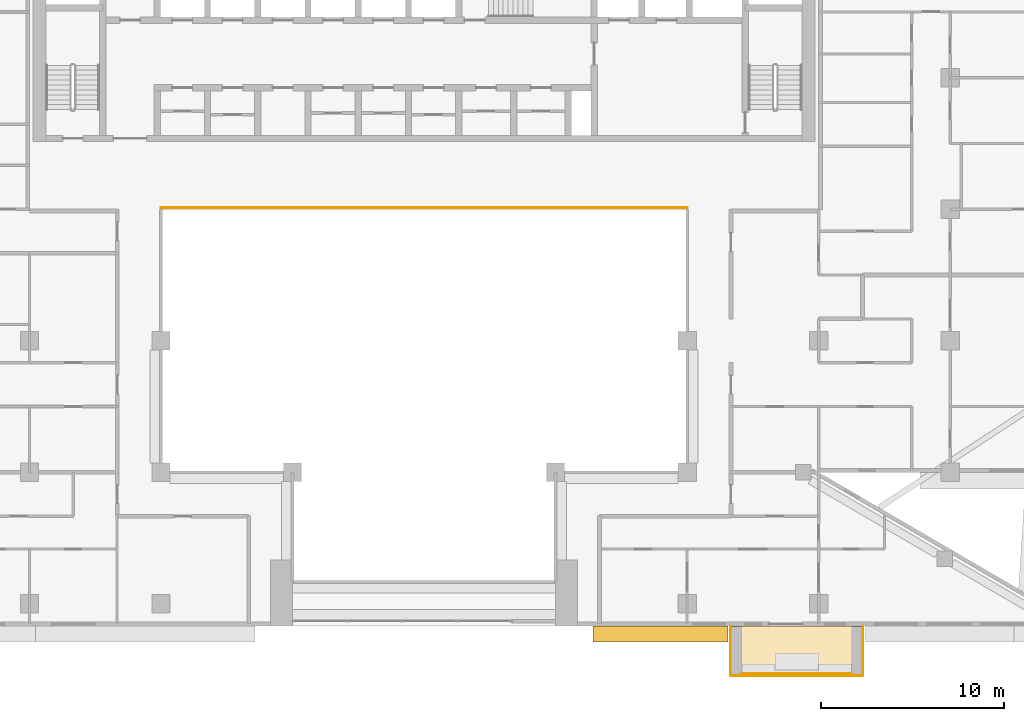
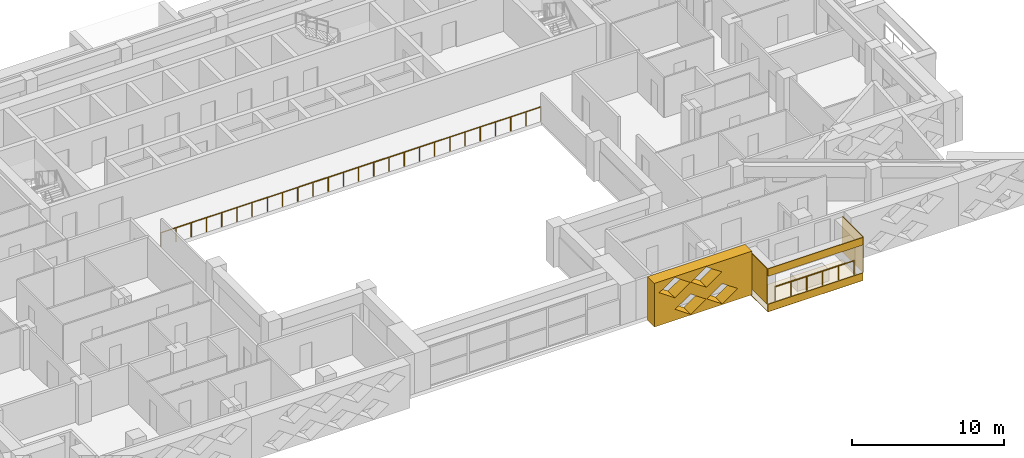
# One storey, part 16 of 20: 6 coverings, 2 railings.
"""IFC4 building model written with IfcOpenShell, lengths in metres."""

import ifcopenshell
import ifcopenshell.guid

model = None  # the IFC model being written
_history = None  # IfcOwnerHistory: only IFC2X3 demands one
_inside = {}  # id of a spatial element -> (the spatial element, [elements in it])
_under = {}  # id of a project, library or spatial element -> (it, [spatial elements below it])
_declared = {}  # id of a project -> (the project, [libraries it declares])
_typed = {}  # id of a type object -> (the type object, [elements of that type])
_made_of = {}  # id of a material, layer set ... -> (it, [elements and type objects made of it])


def new_model(schema):
    """Start an empty IFC model of exactly this schema.

    Asked for "IFC4X3", IfcOpenShell would pick the latest addendum, in which some entities
    have other attributes; the version numbers below select the first issue.
    IFC2X3 requires an IfcOwnerHistory on every rooted entity: one is made here for all.
    """
    global model, _history
    if schema == "IFC4X3":
        model = ifcopenshell.file(schema_version=(4, 3, 0, 0))
    else:
        model = ifcopenshell.file(schema=schema)
    _inside.clear()
    _under.clear()
    _declared.clear()
    _typed.clear()
    _made_of.clear()
    _history = None
    if model.schema == "IFC2X3":
        org = make("IfcOrganization", Name="unknown")
        user = make(
            "IfcPersonAndOrganization",
            ThePerson=make("IfcPerson", FamilyName="unknown"),
            TheOrganization=org,
        )
        app = make(
            "IfcApplication",
            ApplicationDeveloper=org,
            Version="unknown",
            ApplicationFullName="unknown",
            ApplicationIdentifier="unknown",
        )
        _history = make(
            "IfcOwnerHistory",
            OwningUser=user,
            OwningApplication=app,
            ChangeAction="ADDED",
            CreationDate=0,
        )
    return model


def make(cls, **values):
    """One entity of the class cls with the attributes given. An attribute that is None is left unset."""
    return model.create_entity(
        cls, **{name: value for name, value in values.items() if value is not None}
    )


def rooted(cls, **values):
    """An entity with a GlobalId (a new one), such as an element, a storey or a relation."""
    return make(cls, GlobalId=ifcopenshell.guid.new(), OwnerHistory=_history, **values)


def si_unit(unit_type, name, prefix=None):
    """IfcSIUnit, for example si_unit("LENGTHUNIT", "METRE", prefix="MILLI")."""
    return make("IfcSIUnit", UnitType=unit_type, Prefix=prefix, Name=name)


def assignment(units):
    """IfcUnitAssignment: the units of a project."""
    return None if units is None else make("IfcUnitAssignment", Units=units)


def point(xyz):
    """IfcCartesianPoint."""
    return None if xyz is None else make("IfcCartesianPoint", Coordinates=xyz)


def direction(xyz):
    """IfcDirection."""
    return None if xyz is None else make("IfcDirection", DirectionRatios=xyz)


def frame(location, z_axis=None, x_axis=None):
    """IfcAxis2Placement3D, a coordinate frame: its origin and axes. An axis left out is left unset."""
    return make(
        "IfcAxis2Placement3D",
        Location=point(location),
        Axis=direction(z_axis),
        RefDirection=direction(x_axis),
    )


def frame_2d(location, x_axis=None):
    """IfcAxis2Placement2D, a coordinate frame in the plane: its origin and x axis."""
    return make(
        "IfcAxis2Placement2D", Location=point(location), RefDirection=direction(x_axis)
    )


def origin():
    """The frame at (0, 0, 0) with its axes left unset."""
    return frame((0.0, 0.0, 0.0))


def origin_2d():
    """The frame at (0, 0) in the plane with its x axis left unset."""
    return frame_2d((0.0, 0.0))


def place(relative_to, where):
    """IfcLocalPlacement: puts the frame where relative to a parent placement (None: the world)."""
    return make(
        "IfcLocalPlacement", PlacementRelTo=relative_to, RelativePlacement=where
    )


def context(
    kind, dimensions, precision=None, world=None, true_north=None, identifier=None
):
    """IfcGeometricRepresentationContext, for example the 3D "Model" context."""
    return make(
        "IfcGeometricRepresentationContext",
        ContextIdentifier=identifier,
        ContextType=kind,
        CoordinateSpaceDimension=dimensions,
        Precision=precision,
        WorldCoordinateSystem=world,
        TrueNorth=true_north,
    )


def subcontext(parent, identifier, kind, view, scale=None):
    """IfcGeometricRepresentationSubContext, for example "Body" below "Model"."""
    return make(
        "IfcGeometricRepresentationSubContext",
        ContextIdentifier=identifier,
        ContextType=kind,
        ParentContext=parent,
        TargetScale=scale,
        TargetView=view,
    )


def project(units=None, contexts=None):
    """IfcProject with its units and contexts."""
    return rooted(
        "IfcProject",
        Name="project",
        RepresentationContexts=contexts,
        UnitsInContext=assignment(units),
    )


def spatial(cls, under=None, at=None, **own):
    """A site, building, storey or space (cls), placed at a placement, below another one or the project."""
    s = rooted(cls, ObjectPlacement=at, **own)
    if under is not None:
        _under.setdefault(under.id(), (under, []))[1].append(s)
    return s


def polyline(points):
    """IfcPolyline through the points."""
    return make("IfcPolyline", Points=[point(p) for p in points])


def profile(cls, at=None, kind="AREA", **sizes):
    """A parametric profile (cls). Its sizes go by their IFC names, for example OverallWidth=200.0."""
    return make(cls, ProfileType=kind, Position=at, **sizes)


def circle(**sizes):
    """IfcCircleProfileDef."""
    return profile("IfcCircleProfileDef", **sizes)


def outline(outer, holes=None, kind="AREA"):
    """IfcArbitraryClosedProfileDef: a profile drawn as a closed curve; with holes, ...WithVoids."""
    if holes is None:
        return make("IfcArbitraryClosedProfileDef", ProfileType=kind, OuterCurve=outer)
    return make(
        "IfcArbitraryProfileDefWithVoids",
        ProfileType=kind,
        OuterCurve=outer,
        InnerCurves=holes,
    )


def extrude(swept, where, along, depth):
    """IfcExtrudedAreaSolid: the profile swept, set in the frame where, extruded along a direction by depth."""
    return make(
        "IfcExtrudedAreaSolid",
        SweptArea=swept,
        Position=where,
        ExtrudedDirection=direction(along),
        Depth=depth,
    )


def shape(context_of_items, identifier, shape_type, items):
    """IfcShapeRepresentation: the items that make up one representation, for example the "Body"."""
    return make(
        "IfcShapeRepresentation",
        ContextOfItems=context_of_items,
        RepresentationIdentifier=identifier,
        RepresentationType=shape_type,
        Items=items,
    )


def material(Name=None, Category=None):
    """IfcMaterial."""
    return make("IfcMaterial", Name=Name, Category=Category)


def layer(
    of_material, thickness, ventilated=None, Name=None, Category=None, Priority=None
):
    """IfcMaterialLayer: one layer of a wall or slab, of a material (None: an air gap)."""
    return make(
        "IfcMaterialLayer",
        Material=of_material,
        LayerThickness=thickness,
        IsVentilated=ventilated,
        Name=Name,
        Category=Category,
        Priority=Priority,
    )


def layer_set(layers, Name=None):
    """IfcMaterialLayerSet."""
    return make("IfcMaterialLayerSet", MaterialLayers=layers, LayerSetName=Name)


def made_of(thing, what):
    """Note that an element or type object is made of a material, layer set ...; save() writes the relation."""
    if what is not None:
        _made_of.setdefault(what.id(), (what, []))[1].append(thing)
    return thing


def type_object(cls, material=None, **own):
    """A type object (cls), such as IfcWallType, which elements share."""
    return made_of(rooted(cls, **own), material)


def element(
    cls,
    number,
    at=None,
    inside=None,
    cuts=None,
    type_object=None,
    material=None,
    context=None,
    identifier="Body",
    shape_type=None,
    held_by="IfcProductDefinitionShape",
    body=None,
    shapes=None,
    **own,
):
    """One element of the class cls, such as IfcWall. Its Tag is "e" and its number.

    at: its placement. inside: the storey or other place that contains it. cuts: it is an
    opening in that element (IfcRelVoidsElement). A single representation is given by context,
    identifier, shape_type and body (its items); several are given by shapes. held_by: the class
    of the entity that holds the representations. save() writes the other relations.
    """
    e = rooted(cls, Tag="e%d" % number, ObjectPlacement=at, **own)
    if body is not None:
        shapes = [shape(context, identifier, shape_type, body)]
    if shapes is not None:
        e.Representation = make(held_by, Representations=shapes)
    if inside is not None:
        _inside.setdefault(inside.id(), (inside, []))[1].append(e)
    if cuts is not None:
        rooted(
            "IfcRelVoidsElement", RelatingBuildingElement=cuts, RelatedOpeningElement=e
        )
    if type_object is not None:
        _typed.setdefault(type_object.id(), (type_object, []))[1].append(e)
    return made_of(e, material)


def aggregate(whole, parts):
    """IfcRelAggregates: a whole, such as a stair, and the parts it consists of."""
    return rooted("IfcRelAggregates", RelatingObject=whole, RelatedObjects=parts)


def save(model, path):
    """Write the relations noted so far, then the file.

    IfcRelAggregates (storeys below a building ...), IfcRelContainedInSpatialStructure (elements
    in a storey), IfcRelDefinesByType, IfcRelAssociatesMaterial and IfcRelDeclares: one each for
    every whole, place, type object, material and project.
    """
    for whole, parts in _under.values():
        aggregate(whole, parts)
    for where, things in _inside.values():
        rooted(
            "IfcRelContainedInSpatialStructure",
            RelatedElements=things,
            RelatingStructure=where,
        )
    for kind, things in _typed.values():
        rooted("IfcRelDefinesByType", RelatedObjects=things, RelatingType=kind)
    for what, things in _made_of.values():
        rooted("IfcRelAssociatesMaterial", RelatedObjects=things, RelatingMaterial=what)
    for by, libraries in _declared.values():
        rooted("IfcRelDeclares", RelatingContext=by, RelatedDefinitions=libraries)
    model.write(path)


model = new_model("IFC4")

# Units and contexts
model_context = context("Model", 3, precision=1e-05, world=origin(), true_north=direction((0.0, 1.0)))
body_context = subcontext(model_context, "Body", "Model", "MODEL_VIEW")
ifc_project = project(units=[si_unit("LENGTHUNIT", "METRE"), si_unit("AREAUNIT", "SQUARE_METRE"), si_unit("VOLUMEUNIT", "CUBIC_METRE"), si_unit("PLANEANGLEUNIT", "RADIAN"), si_unit("MASSUNIT", "GRAM", prefix="KILO")], contexts=[model_context])

# Site, building, storey
site_placement = place(None, origin())
site = spatial("IfcSite", under=ifc_project, at=site_placement, CompositionType="ELEMENT")
building_placement = place(site_placement, origin())
building = spatial("IfcBuilding", under=site, at=building_placement, Name="Saffron Iwan Residences", CompositionType="ELEMENT")
storey_placement = place(building_placement, frame((0.0, 0.0, 143.0)))
storey = spatial("IfcBuildingStorey", under=building, at=storey_placement, Name="L37", CompositionType="ELEMENT", Elevation=143.0)

# Railings
ifc_material_1 = material(Name="Stainless steel 316", Category="steel")
railing_type_1 = type_object("IfcRailingType", Name="Atrium guard 1150", PredefinedType="GUARDRAIL", material=ifc_material_1)
railing_1_placement = place(storey_placement, frame((36.0, 62.47509765625, 0.0)))
element("IfcRailing", 1, at=railing_1_placement, inside=storey, type_object=railing_type_1, Name="Atrium guard L37", PredefinedType="GUARDRAIL", context=body_context, shape_type="SweptSolid", body=[
    extrude(circle(Radius=0.02392578125, at=origin_2d()), frame((0.0, 0.0, 1.1259765625), z_axis=(1.0, 0.0, 0.0), x_axis=(0.0, 1.0, 0.0)), (0.0, 0.0, 1.0), 28.800048828125),
    extrude(circle(Radius=0.02099609375, at=origin_2d()), origin(), (0.0, 0.0, 1.0), 1.101806640625),
    extrude(circle(Radius=0.02099609375, at=origin_2d()), frame((1.152099609375, 0.0, 0.0)), (0.0, 0.0, 1.0), 1.101806640625),
    extrude(circle(Radius=0.02099609375, at=origin_2d()), frame((2.303955078125, 0.0, 0.0)), (0.0, 0.0, 1.0), 1.101806640625),
    extrude(circle(Radius=0.02099609375, at=origin_2d()), frame((3.4560546875, 0.0, 0.0)), (0.0, 0.0, 1.0), 1.101806640625),
    extrude(circle(Radius=0.02099609375, at=origin_2d()), frame((4.60791015625, 0.0, 0.0)), (0.0, 0.0, 1.0), 1.101806640625),
    extrude(circle(Radius=0.02099609375, at=origin_2d()), frame((5.760009765625, 0.0, 0.0)), (0.0, 0.0, 1.0), 1.101806640625),
    extrude(circle(Radius=0.02099609375, at=origin_2d()), frame((6.912109375, 0.0, 0.0)), (0.0, 0.0, 1.0), 1.101806640625),
    extrude(circle(Radius=0.02099609375, at=origin_2d()), frame((8.06396484375, 0.0, 0.0)), (0.0, 0.0, 1.0), 1.101806640625),
    extrude(circle(Radius=0.02099609375, at=origin_2d()), frame((9.216064453125, 0.0, 0.0)), (0.0, 0.0, 1.0), 1.101806640625),
    extrude(circle(Radius=0.02099609375, at=origin_2d()), frame((10.367919921875, 0.0, 0.0)), (0.0, 0.0, 1.0), 1.101806640625),
    extrude(circle(Radius=0.02099609375, at=origin_2d()), frame((11.52001953125, 0.0, 0.0)), (0.0, 0.0, 1.0), 1.101806640625),
    extrude(circle(Radius=0.02099609375, at=origin_2d()), frame((12.672119140625, 0.0, 0.0)), (0.0, 0.0, 1.0), 1.101806640625),
    extrude(circle(Radius=0.02099609375, at=origin_2d()), frame((13.823974609375, 0.0, 0.0)), (0.0, 0.0, 1.0), 1.101806640625),
    extrude(circle(Radius=0.02099609375, at=origin_2d()), frame((14.97607421875, 0.0, 0.0)), (0.0, 0.0, 1.0), 1.101806640625),
    extrude(circle(Radius=0.02099609375, at=origin_2d()), frame((16.1279296875, 0.0, 0.0)), (0.0, 0.0, 1.0), 1.101806640625),
    extrude(circle(Radius=0.02099609375, at=origin_2d()), frame((17.280029296875, 0.0, 0.0)), (0.0, 0.0, 1.0), 1.101806640625),
    extrude(circle(Radius=0.02099609375, at=origin_2d()), frame((18.43212890625, 0.0, 0.0)), (0.0, 0.0, 1.0), 1.101806640625),
    extrude(circle(Radius=0.02099609375, at=origin_2d()), frame((19.583984375, 0.0, 0.0)), (0.0, 0.0, 1.0), 1.101806640625),
    extrude(circle(Radius=0.02099609375, at=origin_2d()), frame((20.736083984375, 0.0, 0.0)), (0.0, 0.0, 1.0), 1.101806640625),
    extrude(circle(Radius=0.02099609375, at=origin_2d()), frame((21.887939453125, 0.0, 0.0)), (0.0, 0.0, 1.0), 1.101806640625),
    extrude(circle(Radius=0.02099609375, at=origin_2d()), frame((23.0400390625, 0.0, 0.0)), (0.0, 0.0, 1.0), 1.101806640625),
    extrude(circle(Radius=0.02099609375, at=origin_2d()), frame((24.192138671875, 0.0, 0.0)), (0.0, 0.0, 1.0), 1.101806640625),
    extrude(circle(Radius=0.02099609375, at=origin_2d()), frame((25.343994140625, 0.0, 0.0)), (0.0, 0.0, 1.0), 1.101806640625),
    extrude(circle(Radius=0.02099609375, at=origin_2d()), frame((26.49609375, 0.0, 0.0)), (0.0, 0.0, 1.0), 1.101806640625),
    extrude(circle(Radius=0.02099609375, at=origin_2d()), frame((27.64794921875, 0.0, 0.0)), (0.0, 0.0, 1.0), 1.101806640625),
    extrude(circle(Radius=0.02099609375, at=origin_2d()), frame((28.800048828125, 0.0, 0.0)), (0.0, 0.0, 1.0), 1.101806640625),
])
railing_type_2 = type_object("IfcRailingType", Name="BALCONY GUARD 1150", PredefinedType="GUARDRAIL", material=ifc_material_1)
railing_2_placement = place(storey_placement, frame((67.800048828125, 36.97509765625, 0.0)))
element("IfcRailing", 2, at=railing_2_placement, inside=storey, type_object=railing_type_2, Name="Balcony guard L37 11-1", PredefinedType="GUARDRAIL", context=body_context, shape_type="SweptSolid", body=[
    extrude(circle(Radius=0.02392578125, at=origin_2d()), frame((0.0, 0.0, 1.1259765625), z_axis=(1.0, 0.0, 0.0), x_axis=(0.0, 1.0, 0.0)), (0.0, 0.0, 1.0), 6.0),
    extrude(circle(Radius=0.02099609375, at=origin_2d()), origin(), (0.0, 0.0, 1.0), 1.101806640625),
    extrude(circle(Radius=0.02099609375, at=origin_2d()), frame((1.199951171875, 0.0, 0.0)), (0.0, 0.0, 1.0), 1.101806640625),
    extrude(circle(Radius=0.02099609375, at=origin_2d()), frame((2.39990234375, 0.0, 0.0)), (0.0, 0.0, 1.0), 1.101806640625),
    extrude(circle(Radius=0.02099609375, at=origin_2d()), frame((3.60009765625, 0.0, 0.0)), (0.0, 0.0, 1.0), 1.101806640625),
    extrude(circle(Radius=0.02099609375, at=origin_2d()), frame((4.800048828125, 0.0, 0.0)), (0.0, 0.0, 1.0), 1.101806640625),
    extrude(circle(Radius=0.02099609375, at=origin_2d()), frame((6.0, 0.0, 0.0)), (0.0, 0.0, 1.0), 1.101806640625),
])

# Coverings
ifc_material_2 = material(Name="Precast concrete C40/50 white painted", Category="concrete")
ifc_layer = layer(ifc_material_2, 0.050048828125)
ifc_layer_set = layer_set([ifc_layer], Name="Precast concrete C40/50 white painted")
covering_type_1 = type_object("IfcCoveringType", Name="FRAME SKIN PRECAST WHITE 50", PredefinedType="CLADDING", material=ifc_layer_set)
for number, where, name in (
    (3, (0.0, 0.0, -0.60009765625), "Frame skin slab edge L37 11-1"),
    (4, (0.0, 0.0, 2.25), "Frame skin fascia L37 11-1"),
):
    element("IfcCovering", number, at=place(storey_placement, frame(where)), inside=storey, type_object=covering_type_1, Name=name, PredefinedType="CLADDING", context=body_context, shape_type="SweptSolid", body=[
        extrude(outline(polyline([(67.199951171875, 36.85009765625), (74.39990234375, 36.85009765625), (74.39990234375, 36.89990234375), (67.199951171875, 36.89990234375), (67.199951171875, 36.85009765625)])), origin(), (0.0, 0.0, 1.0), 0.60009765625),
    ])
covering_1_placement = place(storey_placement, frame((0.0, 0.0, -0.64990234375)))
element("IfcCovering", 5, at=covering_1_placement, inside=storey, type_object=covering_type_1, Name="Frame skin soffit L37 11-1", PredefinedType="CLADDING", context=body_context, shape_type="SweptSolid", body=[
    extrude(outline(polyline([(67.199951171875, 36.89990234375), (74.39990234375, 36.89990234375), (74.39990234375, 39.60009765625), (67.199951171875, 39.60009765625), (67.199951171875, 36.89990234375)])), origin(), (0.0, 0.0, 1.0), 0.0498046875),
])
covering_2_placement = place(storey_placement, origin())
element("IfcCovering", 6, at=covering_2_placement, inside=storey, type_object=covering_type_1, Name="Frame skin fin L37 11-1a", PredefinedType="CLADDING", context=body_context, shape_type="SweptSolid", body=[
    extrude(outline(polyline([(67.14990234375, 36.89990234375), (67.199951171875, 36.89990234375), (67.199951171875, 39.60009765625), (67.14990234375, 39.60009765625), (67.14990234375, 36.89990234375)])), origin(), (0.0, 0.0, 1.0), 2.85009765625),
])
covering_3_placement = place(storey_placement, origin())
element("IfcCovering", 7, at=covering_3_placement, inside=storey, type_object=covering_type_1, Name="Frame skin fin L37 11-1b", PredefinedType="CLADDING", context=body_context, shape_type="SweptSolid", body=[
    extrude(outline(polyline([(74.39990234375, 36.89990234375), (74.449951171875, 36.89990234375), (74.449951171875, 39.60009765625), (74.39990234375, 39.60009765625), (74.39990234375, 36.89990234375)])), origin(), (0.0, 0.0, 1.0), 2.85009765625),
])
ifc_material_3 = material(Name="Precast concrete C40/50", Category="concrete")
covering_type_2 = type_object("IfcCoveringType", Name="OUTER SKIN LATTICE SCREEN", PredefinedType="CLADDING", material=ifc_material_3)
covering_4_placement = place(storey_placement, frame((59.64990234375, 39.60009765625, -0.300048828125), z_axis=(0.0, -1.0, 0.0), x_axis=(1.0, 0.0, 0.0)))
element("IfcCovering", 8, at=covering_4_placement, inside=storey, type_object=covering_type_2, Name="OUTER SKIN lattice screen L37 F11.2", PredefinedType="CLADDING", context=body_context, shape_type="SweptSolid", body=[
    extrude(outline(polyline([(0.0, 0.0), (7.39990234375, 0.0), (7.39990234375, 3.5), (0.0, 3.5), (0.0, 0.0)]), holes=[polyline([(1.570068359375, 0.875), (2.75, 0.06005859375), (3.929931640625, 0.875), (2.75, 1.68994140625), (1.570068359375, 0.875)]), polyline([(3.969970703125, 0.875), (5.14990234375, 0.06005859375), (6.330078125, 0.875), (5.14990234375, 1.68994140625), (3.969970703125, 0.875)]), polyline([(0.3701171875, 2.625), (1.550048828125, 1.81005859375), (2.72998046875, 2.625), (1.550048828125, 3.43994140625), (0.3701171875, 2.625)]), polyline([(2.77001953125, 2.625), (3.949951171875, 1.81005859375), (5.1298828125, 2.625), (3.949951171875, 3.43994140625), (2.77001953125, 2.625)])]), origin(), (0.0, 0.0, 1.0), 0.900146484375),
])

save(model, "model.ifc")
